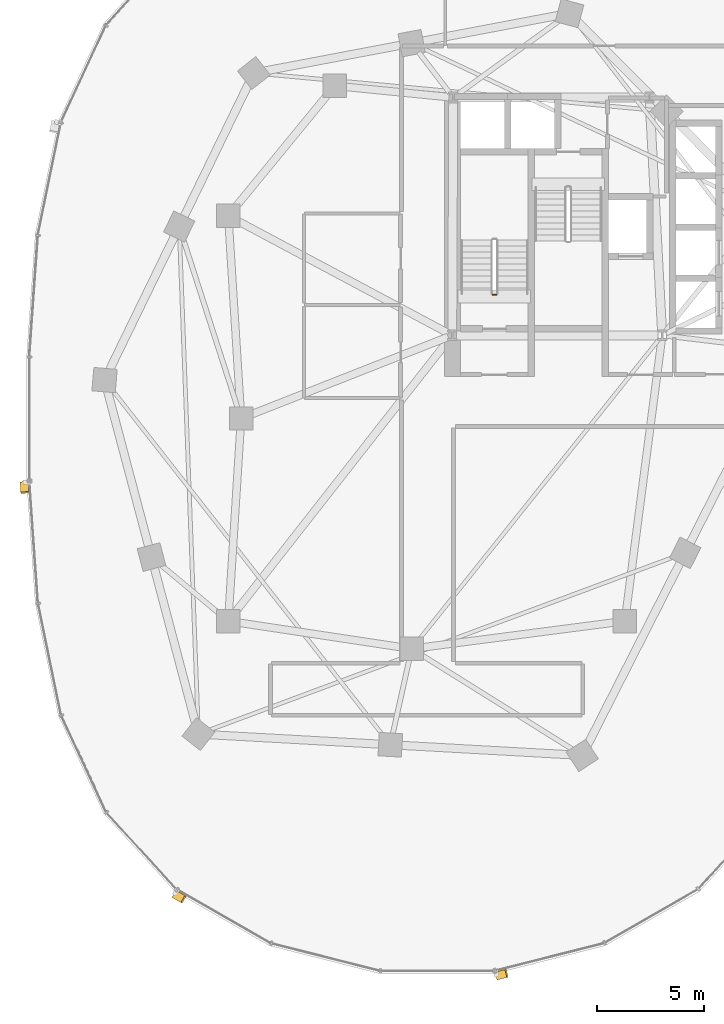
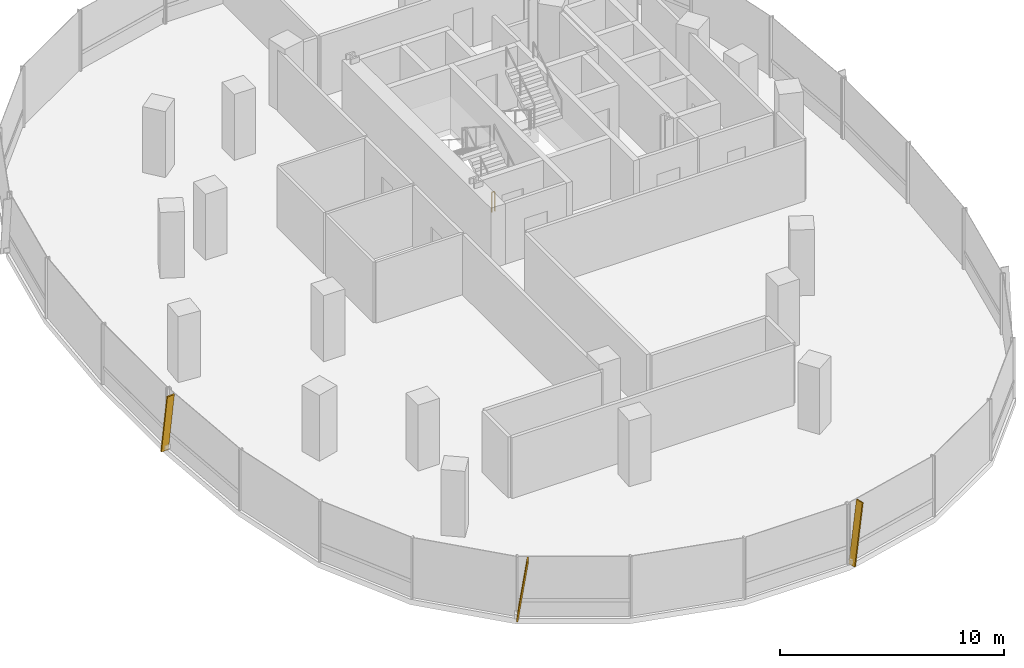
# One storey, part 16 of 20: 3 shading devices, 1 railing.
"""IFC4 building model written with IfcOpenShell, lengths in metres."""

from ifc_helpers import new_model, si_unit, direction, frame, origin, origin_2d, place, context, subcontext, project, spatial, rectangle, extrude, material, material_profile, profile_set, type_object, element, save


model = new_model("IFC4")

# Units and contexts
model_context = context("Model", 3, precision=1e-05, world=origin(), true_north=direction((0.0, 1.0)))
body_context = subcontext(model_context, "Body", "Model", "MODEL_VIEW")
ifc_project = project(units=[si_unit("LENGTHUNIT", "METRE"), si_unit("AREAUNIT", "SQUARE_METRE"), si_unit("VOLUMEUNIT", "CUBIC_METRE"), si_unit("PLANEANGLEUNIT", "RADIAN"), si_unit("MASSUNIT", "GRAM", prefix="KILO"), si_unit("THERMODYNAMICTEMPERATUREUNIT", "KELVIN"), si_unit("POWERUNIT", "WATT")], contexts=[model_context])

# Site, building, storey
site_placement = place(None, origin())
site = spatial("IfcSite", under=ifc_project, at=site_placement, CompositionType="ELEMENT")
building_placement = place(site_placement, origin())
building = spatial("IfcBuilding", under=site, at=building_placement, Name="Cundina Bronze Exchange", CompositionType="ELEMENT")
storey_placement = place(building_placement, frame((0.0, 0.0, 128.60009765625)))
storey = spatial("IfcBuildingStorey", under=building, at=storey_placement, Name="L33", CompositionType="ELEMENT", Elevation=128.60009765625)

# Railing
ifc_material_1 = material(Name="Steel ASTM A36 Painted", Category="steel")
railing_type = type_object("IfcRailingType", Name="RLG-STG-1100", PredefinedType="GUARDRAIL", material=ifc_material_1)
railing_placement = place(storey_placement, frame((-29.239990234375, 5.800048828125, 0.0)))
element("IfcRailing", 1, at=railing_placement, inside=storey, type_object=railing_type, Name="L33 ST-W1 stair guard 4", PredefinedType="GUARDRAIL", context=body_context, shape_type="SweptSolid", body=[
    extrude(rectangle(XDim=0.048095703125, YDim=0.048095703125, at=origin_2d()), frame((0.0, 0.0, 1.076171875), z_axis=(-1.0, 0.0, 0.0), x_axis=(0.0, -1.0, 0.0)), (0.0, 0.0, 1.0), 0.159912109375),
    extrude(rectangle(XDim=0.0419921875, YDim=0.0419921875, at=origin_2d()), origin(), (0.0, 0.0, 1.0), 1.052001953125),
    extrude(rectangle(XDim=0.0419921875, YDim=0.0419921875, at=origin_2d()), frame((-0.159912109375, 0.0, 0.0)), (0.0, 0.0, 1.0), 1.052001953125),
])

# Shading devices
ifc_material_2 = material(Name="Anodised Bronze Aluminium 6063-T6", Category="aluminium")
ifc_material_profile = material_profile(ifc_material_2, rectangle(XDim=0.070068359375, YDim=0.3798828125, at=origin_2d()), Name="FIN70X380", Category="aluminium")
ifc_profile_set = profile_set([ifc_material_profile], Name="Anodised Bronze Aluminium 6063-T6")
shading_device_type = type_object("IfcShadingDeviceType", Name="SHD-FIN-BRZ380", PredefinedType="USERDEFINED", material=ifc_profile_set)
for number, where, z_axis, x_axis, name in (
    (2, (-51.3740234375, -2.993896484375, 0.02001953125), (0.010164193442, -0.144434661884, 0.989462135515), (-0.069458909021, 0.987021163692, 0.144791858824), "L33 Diagonal Bronze Solar Fin 1"),
    (3, (-44.314208984375, -22.314208984375, 0.02001953125), (0.125579039611, -0.072106674357, 0.989459717383), (-0.858067736109, 0.492696958153, 0.144808382618), "L33 Diagonal Bronze Solar Fin 5"),
    (4, (-29.212646484375, -26.138427734375, 0.02001953125), (0.140383488658, 0.035500966177, 0.989460538633), (-0.959262874254, -0.242583790866, 0.144802770993), "L33 Diagonal Bronze Solar Fin 1"),
):
    element("IfcShadingDevice", number, at=place(storey_placement, frame(where, z_axis=z_axis, x_axis=x_axis)), inside=storey, type_object=shading_device_type, Name=name, ObjectType="FIN", PredefinedType="USERDEFINED", context=body_context, shape_type="SweptSolid", body=[
        extrude(rectangle(XDim=0.070068359375, YDim=0.3798828125, at=origin_2d()), origin(), (0.0, 0.0, 1.0), 3.314697265625),
    ])

save(model, "model.ifc")
